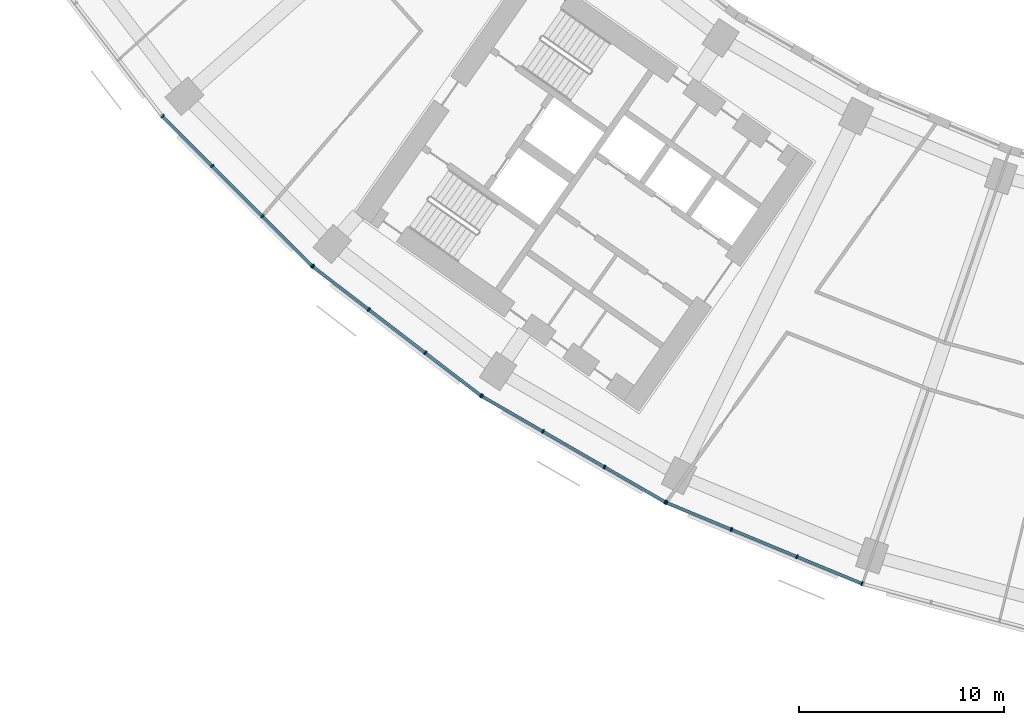
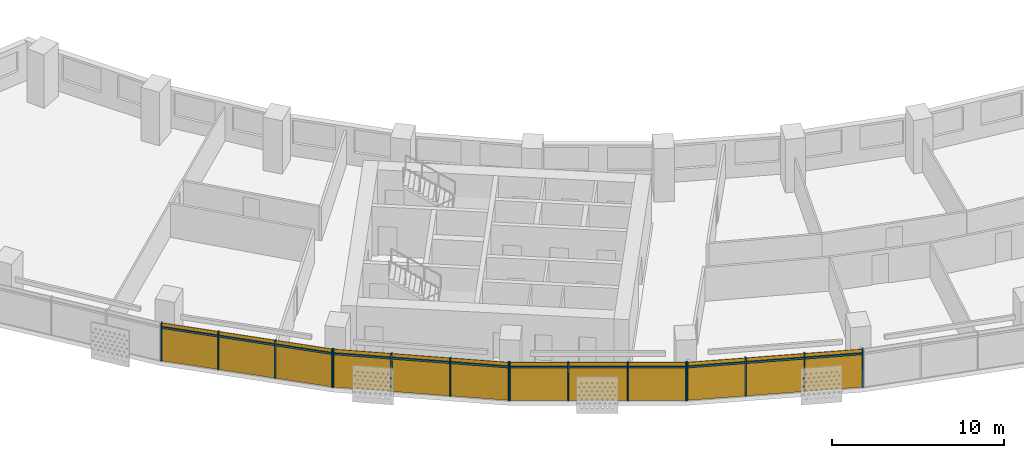
# One storey, part 17 of 29: 28 members, 4 curtain walls.
"""IFC4 building model written with IfcOpenShell, lengths in metres."""

from ifc_helpers import new_model, si_unit, direction, frame, origin, origin_2d, place, context, subcontext, project, spatial, rectangle, extrude, material, material_profile, profile_set, type_object, element, aggregate, save


model = new_model("IFC4")

# Units and contexts
model_context = context("Model", 3, precision=1e-05, world=origin(), true_north=direction((0.0, 1.0)))
body_context = subcontext(model_context, "Body", "Model", "MODEL_VIEW")
ifc_project = project(units=[si_unit("LENGTHUNIT", "METRE"), si_unit("AREAUNIT", "SQUARE_METRE"), si_unit("VOLUMEUNIT", "CUBIC_METRE"), si_unit("PLANEANGLEUNIT", "RADIAN"), si_unit("MASSUNIT", "GRAM", prefix="KILO")], contexts=[model_context])

# Member
ifc_material = material(Name="Aluminium 6063-T6 anodised", Category="aluminium")
ifc_material_profile_1 = material_profile(ifc_material, rectangle(XDim=0.199951171875, YDim=0.070068359375, at=origin_2d()))
ifc_profile_set_1 = profile_set([ifc_material_profile_1], Name="Aluminium 6063-T6 anodised")
member_type_1 = type_object("IfcMemberType", Name="Mullion 70 x 200 aluminium", PredefinedType="MULLION", material=ifc_profile_set_1)
site_placement = place(None, origin())
building_placement = place(site_placement, origin())
storey_placement = place(building_placement, frame((0.0, 0.0, 121.5)))
member_1_placement = place(storey_placement, frame((-59.525390625, -52.240234375, 0.0), z_axis=(0.0, 0.0, 1.0), x_axis=(0.707106781187, 0.707106781187, 0.0)))
member_1 = element("IfcMember", 1, at=member_1_placement, type_object=member_type_1, Name="e-cw1-L27-out03/M00", PredefinedType="MULLION", context=body_context, shape_type="SweptSolid", body=[
    extrude(rectangle(XDim=0.199951171875, YDim=0.070068359375, at=origin_2d()), origin(), (0.0, 0.0, 1.0), 2.699951171875),
])

member_2_placement = place(storey_placement, frame((-57.105224609375, -54.660400390625, 0.0), z_axis=(0.0, 0.0, 1.0), x_axis=(0.707106781187, 0.707106781187, 0.0)))
member_2 = element("IfcMember", 2, at=member_2_placement, type_object=member_type_1, Name="e-cw1-L27-out03/M01", PredefinedType="MULLION", context=body_context, shape_type="SweptSolid", body=[
    extrude(rectangle(XDim=0.199951171875, YDim=0.070068359375, at=origin_2d()), origin(), (0.0, 0.0, 1.0), 2.699951171875),
])

member_3_placement = place(storey_placement, frame((-54.660400390625, -57.105224609375, 0.0), z_axis=(0.0, 0.0, 1.0), x_axis=(0.707106781187, 0.707106781187, 0.0)))
member_3 = element("IfcMember", 3, at=member_3_placement, type_object=member_type_1, Name="e-cw1-L27-out03/M02", PredefinedType="MULLION", context=body_context, shape_type="SweptSolid", body=[
    extrude(rectangle(XDim=0.199951171875, YDim=0.070068359375, at=origin_2d()), origin(), (0.0, 0.0, 1.0), 2.699951171875),
])

member_4_placement = place(storey_placement, frame((-52.240234375, -59.525390625, 0.0), z_axis=(0.0, 0.0, 1.0), x_axis=(0.707106781187, 0.707106781187, 0.0)))
member_4 = element("IfcMember", 4, at=member_4_placement, type_object=member_type_1, Name="e-cw1-L27-out03/M03", PredefinedType="MULLION", context=body_context, shape_type="SweptSolid", body=[
    extrude(rectangle(XDim=0.199951171875, YDim=0.070068359375, at=origin_2d()), origin(), (0.0, 0.0, 1.0), 2.699951171875),
])

member_5_placement = place(storey_placement, frame((-52.197509765625, -59.56298828125, 0.0), z_axis=(0.0, 0.0, 1.0), x_axis=(0.608761429009, 0.793353340291, 0.0)))
member_5 = element("IfcMember", 5, at=member_5_placement, type_object=member_type_1, Name="e-cw1-L27-out04/M00", PredefinedType="MULLION", context=body_context, shape_type="SweptSolid", body=[
    extrude(rectangle(XDim=0.199951171875, YDim=0.070068359375, at=origin_2d()), origin(), (0.0, 0.0, 1.0), 2.699951171875),
])

member_6_placement = place(storey_placement, frame((-49.482177734375, -61.646484375, 0.0), z_axis=(0.0, 0.0, 1.0), x_axis=(0.608761429009, 0.793353340291, 0.0)))
member_6 = element("IfcMember", 6, at=member_6_placement, type_object=member_type_1, Name="e-cw1-L27-out04/M01", PredefinedType="MULLION", context=body_context, shape_type="SweptSolid", body=[
    extrude(rectangle(XDim=0.199951171875, YDim=0.070068359375, at=origin_2d()), origin(), (0.0, 0.0, 1.0), 2.699951171875),
])

member_7_placement = place(storey_placement, frame((-46.739013671875, -63.751220703125, 0.0), z_axis=(0.0, 0.0, 1.0), x_axis=(0.608761429009, 0.793353340291, 0.0)))
member_7 = element("IfcMember", 7, at=member_7_placement, type_object=member_type_1, Name="e-cw1-L27-out04/M02", PredefinedType="MULLION", context=body_context, shape_type="SweptSolid", body=[
    extrude(rectangle(XDim=0.199951171875, YDim=0.070068359375, at=origin_2d()), origin(), (0.0, 0.0, 1.0), 2.699951171875),
])

member_8_placement = place(storey_placement, frame((-44.023681640625, -65.8349609375, 0.0), z_axis=(0.0, 0.0, 1.0), x_axis=(0.608761429009, 0.793353340291, 0.0)))
member_8 = element("IfcMember", 8, at=member_8_placement, type_object=member_type_1, Name="e-cw1-L27-out04/M03", PredefinedType="MULLION", context=body_context, shape_type="SweptSolid", body=[
    extrude(rectangle(XDim=0.199951171875, YDim=0.070068359375, at=origin_2d()), origin(), (0.0, 0.0, 1.0), 2.699951171875),
])

member_9_placement = place(storey_placement, frame((-43.976318359375, -65.866455078125, 0.0), z_axis=(0.0, 0.0, 1.0), x_axis=(0.5, 0.866025403784, 0.0)))
member_9 = element("IfcMember", 9, at=member_9_placement, type_object=member_type_1, Name="e-cw1-L27-out05/M00", PredefinedType="MULLION", context=body_context, shape_type="SweptSolid", body=[
    extrude(rectangle(XDim=0.199951171875, YDim=0.070068359375, at=origin_2d()), origin(), (0.0, 0.0, 1.0), 2.699951171875),
])

member_10_placement = place(storey_placement, frame((-41.01220703125, -67.577880859375, 0.0), z_axis=(0.0, 0.0, 1.0), x_axis=(0.5, 0.866025403784, 0.0)))
member_10 = element("IfcMember", 10, at=member_10_placement, type_object=member_type_1, Name="e-cw1-L27-out05/M01", PredefinedType="MULLION", context=body_context, shape_type="SweptSolid", body=[
    extrude(rectangle(XDim=0.199951171875, YDim=0.070068359375, at=origin_2d()), origin(), (0.0, 0.0, 1.0), 2.699951171875),
])

member_11_placement = place(storey_placement, frame((-38.017822265625, -69.306640625, 0.0), z_axis=(0.0, 0.0, 1.0), x_axis=(0.5, 0.866025403784, 0.0)))
member_11 = element("IfcMember", 11, at=member_11_placement, type_object=member_type_1, Name="e-cw1-L27-out05/M02", PredefinedType="MULLION", context=body_context, shape_type="SweptSolid", body=[
    extrude(rectangle(XDim=0.199951171875, YDim=0.070068359375, at=origin_2d()), origin(), (0.0, 0.0, 1.0), 2.699951171875),
])

member_12_placement = place(storey_placement, frame((-35.0537109375, -71.017822265625, 0.0), z_axis=(0.0, 0.0, 1.0), x_axis=(0.5, 0.866025403784, 0.0)))
member_12 = element("IfcMember", 12, at=member_12_placement, type_object=member_type_1, Name="e-cw1-L27-out05/M03", PredefinedType="MULLION", context=body_context, shape_type="SweptSolid", body=[
    extrude(rectangle(XDim=0.199951171875, YDim=0.070068359375, at=origin_2d()), origin(), (0.0, 0.0, 1.0), 2.699951171875),
])

member_13_placement = place(storey_placement, frame((-35.0029296875, -71.04296875, 0.0), z_axis=(0.0, 0.0, 1.0), x_axis=(0.382683432365, 0.923879532511, 0.0)))
member_13 = element("IfcMember", 13, at=member_13_placement, type_object=member_type_1, Name="e-cw1-L27-out06/M00", PredefinedType="MULLION", context=body_context, shape_type="SweptSolid", body=[
    extrude(rectangle(XDim=0.199951171875, YDim=0.070068359375, at=origin_2d()), origin(), (0.0, 0.0, 1.0), 2.699951171875),
])

member_14_placement = place(storey_placement, frame((-31.8408203125, -72.352783203125, 0.0), z_axis=(0.0, 0.0, 1.0), x_axis=(0.382683432365, 0.923879532511, 0.0)))
member_14 = element("IfcMember", 14, at=member_14_placement, type_object=member_type_1, Name="e-cw1-L27-out06/M01", PredefinedType="MULLION", context=body_context, shape_type="SweptSolid", body=[
    extrude(rectangle(XDim=0.199951171875, YDim=0.070068359375, at=origin_2d()), origin(), (0.0, 0.0, 1.0), 2.699951171875),
])

member_15_placement = place(storey_placement, frame((-28.646240234375, -73.676025390625, 0.0), z_axis=(0.0, 0.0, 1.0), x_axis=(0.382683432365, 0.923879532511, 0.0)))
member_15 = element("IfcMember", 15, at=member_15_placement, type_object=member_type_1, Name="e-cw1-L27-out06/M02", PredefinedType="MULLION", context=body_context, shape_type="SweptSolid", body=[
    extrude(rectangle(XDim=0.199951171875, YDim=0.070068359375, at=origin_2d()), origin(), (0.0, 0.0, 1.0), 2.699951171875),
])

member_16_placement = place(storey_placement, frame((-25.484130859375, -74.98583984375, 0.0), z_axis=(0.0, 0.0, 1.0), x_axis=(0.382683432365, 0.923879532511, 0.0)))
member_16 = element("IfcMember", 16, at=member_16_placement, type_object=member_type_1, Name="e-cw1-L27-out06/M03", PredefinedType="MULLION", context=body_context, shape_type="SweptSolid", body=[
    extrude(rectangle(XDim=0.199951171875, YDim=0.070068359375, at=origin_2d()), origin(), (0.0, 0.0, 1.0), 2.699951171875),
])

ifc_material_profile_2 = material_profile(ifc_material, rectangle(XDim=0.139892578125, YDim=0.1201171875, at=origin_2d()))
ifc_profile_set_2 = profile_set([ifc_material_profile_2], Name="Aluminium 6063-T6 anodised")
member_type_2 = type_object("IfcMemberType", Name="Transom 120 x 140 aluminium", PredefinedType="USERDEFINED", material=ifc_profile_set_2)
member_17_placement = place(storey_placement, frame((-59.500732421875, -52.264892578125, 2.39990234375), z_axis=(0.707106781187, -0.707106781187, 0.0), x_axis=(0.707106781187, 0.707106781187, 0.0)))
member_17 = element("IfcMember", 17, at=member_17_placement, type_object=member_type_2, Name="e-cw1-L27-out03/T00", ObjectType="TRANSOM", PredefinedType="USERDEFINED", context=body_context, shape_type="SweptSolid", body=[
    extrude(rectangle(XDim=0.139892578125, YDim=0.1201171875, at=origin_2d()), origin(), (0.0, 0.0, 1.0), 3.3525390625),
])

member_18_placement = place(storey_placement, frame((-57.08056640625, -54.68505859375, 2.39990234375), z_axis=(0.707106781187, -0.707106781187, 0.0), x_axis=(0.707106781187, 0.707106781187, 0.0)))
member_18 = element("IfcMember", 18, at=member_18_placement, type_object=member_type_2, Name="e-cw1-L27-out03/T01", ObjectType="TRANSOM", PredefinedType="USERDEFINED", context=body_context, shape_type="SweptSolid", body=[
    extrude(rectangle(XDim=0.139892578125, YDim=0.1201171875, at=origin_2d()), origin(), (0.0, 0.0, 1.0), 3.3876953125),
])

member_19_placement = place(storey_placement, frame((-54.635498046875, -57.130126953125, 2.39990234375), z_axis=(0.707106781187, -0.707106781187, 0.0), x_axis=(0.707106781187, 0.707106781187, 0.0)))
member_19 = element("IfcMember", 19, at=member_19_placement, type_object=member_type_2, Name="e-cw1-L27-out03/T02", ObjectType="TRANSOM", PredefinedType="USERDEFINED", context=body_context, shape_type="SweptSolid", body=[
    extrude(rectangle(XDim=0.139892578125, YDim=0.1201171875, at=origin_2d()), origin(), (0.0, 0.0, 1.0), 3.3525390625),
])

member_20_placement = place(storey_placement, frame((-52.169677734375, -59.584228515625, 2.39990234375), z_axis=(0.793354308621, -0.608760167055, 0.0), x_axis=(0.608760167055, 0.793354308621, 0.0)))
member_20 = element("IfcMember", 20, at=member_20_placement, type_object=member_type_2, Name="e-cw1-L27-out04/T00", ObjectType="TRANSOM", PredefinedType="USERDEFINED", context=body_context, shape_type="SweptSolid", body=[
    extrude(rectangle(XDim=0.139892578125, YDim=0.1201171875, at=origin_2d()), origin(), (0.0, 0.0, 1.0), 3.352783203125),
])

member_21_placement = place(storey_placement, frame((-49.454345703125, -61.667724609375, 2.39990234375), z_axis=(0.793344133173, -0.608773427772, 0.0), x_axis=(0.608773427772, 0.793344133173, 0.0)))
member_21 = element("IfcMember", 21, at=member_21_placement, type_object=member_type_2, Name="e-cw1-L27-out04/T01", ObjectType="TRANSOM", PredefinedType="USERDEFINED", context=body_context, shape_type="SweptSolid", body=[
    extrude(rectangle(XDim=0.139892578125, YDim=0.1201171875, at=origin_2d()), origin(), (0.0, 0.0, 1.0), 3.387451171875),
])

member_22_placement = place(storey_placement, frame((-46.711181640625, -63.772705078125, 2.39990234375), z_axis=(0.793389477316, -0.608714331426, 0.0), x_axis=(0.608714331426, 0.793389477316, 0.0)))
member_22 = element("IfcMember", 22, at=member_22_placement, type_object=member_type_2, Name="e-cw1-L27-out04/T02", ObjectType="TRANSOM", PredefinedType="USERDEFINED", context=body_context, shape_type="SweptSolid", body=[
    extrude(rectangle(XDim=0.139892578125, YDim=0.1201171875, at=origin_2d()), origin(), (0.0, 0.0, 1.0), 3.3525390625),
])

member_23_placement = place(storey_placement, frame((-43.946044921875, -65.884033203125, 2.39990234375), z_axis=(0.866020654818, -0.50000822536, 0.0), x_axis=(0.50000822536, 0.866020654818, 0.0)))
member_23 = element("IfcMember", 23, at=member_23_placement, type_object=member_type_2, Name="e-cw1-L27-out05/T00", ObjectType="TRANSOM", PredefinedType="USERDEFINED", context=body_context, shape_type="SweptSolid", body=[
    extrude(rectangle(XDim=0.139892578125, YDim=0.1201171875, at=origin_2d()), origin(), (0.0, 0.0, 1.0), 3.3525390625),
])

member_24_placement = place(storey_placement, frame((-40.98193359375, -67.59521484375, 2.39990234375), z_axis=(0.866025971257, -0.499999017107, 0.0), x_axis=(0.499999017107, 0.866025971257, 0.0)))
member_24 = element("IfcMember", 24, at=member_24_placement, type_object=member_type_2, Name="e-cw1-L27-out05/T01", ObjectType="TRANSOM", PredefinedType="USERDEFINED", context=body_context, shape_type="SweptSolid", body=[
    extrude(rectangle(XDim=0.139892578125, YDim=0.1201171875, at=origin_2d()), origin(), (0.0, 0.0, 1.0), 3.3876953125),
])

member_25_placement = place(storey_placement, frame((-37.987548828125, -69.323974609375, 2.39990234375), z_axis=(0.865989120267, -0.50006283963, 0.0), x_axis=(0.50006283963, 0.865989120267, 0.0)))
member_25 = element("IfcMember", 25, at=member_25_placement, type_object=member_type_2, Name="e-cw1-L27-out05/T02", ObjectType="TRANSOM", PredefinedType="USERDEFINED", context=body_context, shape_type="SweptSolid", body=[
    extrude(rectangle(XDim=0.139892578125, YDim=0.1201171875, at=origin_2d()), origin(), (0.0, 0.0, 1.0), 3.3525390625),
])

member_26_placement = place(storey_placement, frame((-34.970458984375, -71.056396484375, 2.39990234375), z_axis=(0.923882814237, -0.382675509483, 0.0), x_axis=(0.382675509483, 0.923882814237, 0.0)))
member_26 = element("IfcMember", 26, at=member_26_placement, type_object=member_type_2, Name="e-cw1-L27-out06/T00", ObjectType="TRANSOM", PredefinedType="USERDEFINED", context=body_context, shape_type="SweptSolid", body=[
    extrude(rectangle(XDim=0.139892578125, YDim=0.1201171875, at=origin_2d()), origin(), (0.0, 0.0, 1.0), 3.3525390625),
])

member_27_placement = place(storey_placement, frame((-31.808349609375, -72.3662109375, 2.39990234375), z_axis=(0.923874529423, -0.382695510666, 0.0), x_axis=(0.382695510666, 0.923874529423, 0.0)))
member_27 = element("IfcMember", 27, at=member_27_placement, type_object=member_type_2, Name="e-cw1-L27-out06/T01", ObjectType="TRANSOM", PredefinedType="USERDEFINED", context=body_context, shape_type="SweptSolid", body=[
    extrude(rectangle(XDim=0.139892578125, YDim=0.1201171875, at=origin_2d()), origin(), (0.0, 0.0, 1.0), 3.387451171875),
])

member_28_placement = place(storey_placement, frame((-28.614013671875, -73.689453125, 2.39990234375), z_axis=(0.923882814237, -0.382675509483, 0.0), x_axis=(0.382675509483, 0.923882814237, 0.0)))
member_28 = element("IfcMember", 28, at=member_28_placement, type_object=member_type_2, Name="e-cw1-L27-out06/T02", ObjectType="TRANSOM", PredefinedType="USERDEFINED", context=body_context, shape_type="SweptSolid", body=[
    extrude(rectangle(XDim=0.139892578125, YDim=0.1201171875, at=origin_2d()), origin(), (0.0, 0.0, 1.0), 3.3525390625),
])

# Site, building, storey
site = spatial("IfcSite", under=ifc_project, at=site_placement, CompositionType="ELEMENT")
building = spatial("IfcBuilding", under=site, at=building_placement, Name="Qamariyya Broadcast Tower", CompositionType="ELEMENT")
storey = spatial("IfcBuildingStorey", under=building, at=storey_placement, Name="L27", CompositionType="ELEMENT", Elevation=121.5)

# Curtain wall
curtain_wall_type = type_object("IfcCurtainWallType", Name="Unitised curtain wall, anodised aluminium", PredefinedType="NOTDEFINED", material=ifc_material)
curtain_wall_1_placement = place(storey_placement, origin())
curtain_wall_1 = element("IfcCurtainWall", 29, at=curtain_wall_1_placement, inside=storey, type_object=curtain_wall_type, Name="e-cw1-L27-out03", PredefinedType="NOTDEFINED", context=body_context, shape_type="SweptSolid", body=[
    extrude(rectangle(XDim=3.352783203125, YDim=0.031982421875, at=origin_2d()), frame((-58.3154296875, -53.4501953125, 0.0), x_axis=(0.707106781187, -0.707106781187, 0.0)), (0.0, 0.0, 1.0), 2.340087890625),
    extrude(rectangle(XDim=3.352783203125, YDim=0.031982421875, at=origin_2d()), frame((-58.3154296875, -53.4501953125, 2.4599609375), x_axis=(0.707106781187, -0.707106781187, 0.0)), (0.0, 0.0, 1.0), 0.239990234375),
    extrude(rectangle(XDim=3.3876953125, YDim=0.031982421875, at=origin_2d()), frame((-55.8828125, -55.8828125, 0.0), x_axis=(0.707106781187, -0.707106781187, 0.0)), (0.0, 0.0, 1.0), 2.340087890625),
    extrude(rectangle(XDim=3.3876953125, YDim=0.031982421875, at=origin_2d()), frame((-55.8828125, -55.8828125, 2.4599609375), x_axis=(0.707106781187, -0.707106781187, 0.0)), (0.0, 0.0, 1.0), 0.239990234375),
    extrude(rectangle(XDim=3.352783203125, YDim=0.031982421875, at=origin_2d()), frame((-53.4501953125, -58.3154296875, 0.0), x_axis=(0.707106781187, -0.707106781187, 0.0)), (0.0, 0.0, 1.0), 2.340087890625),
    extrude(rectangle(XDim=3.352783203125, YDim=0.031982421875, at=origin_2d()), frame((-53.4501953125, -58.3154296875, 2.4599609375), x_axis=(0.707106781187, -0.707106781187, 0.0)), (0.0, 0.0, 1.0), 0.239990234375),
])

aggregate(curtain_wall_1, [member_1, member_2, member_3, member_4, member_17, member_18, member_19])

curtain_wall_2_placement = place(storey_placement, origin())
curtain_wall_2 = element("IfcCurtainWall", 30, at=curtain_wall_2_placement, inside=storey, type_object=curtain_wall_type, Name="e-cw1-L27-out04", PredefinedType="NOTDEFINED", context=body_context, shape_type="SweptSolid", body=[
    extrude(rectangle(XDim=3.352783203125, YDim=0.031982421875, at=origin_2d()), frame((-50.83984375, -60.6044921875, 0.0), x_axis=(0.793354000839, -0.608760568165, 0.0)), (0.0, 0.0, 1.0), 2.340087890625),
    extrude(rectangle(XDim=3.352783203125, YDim=0.031982421875, at=origin_2d()), frame((-50.83984375, -60.6044921875, 2.4599609375), x_axis=(0.793354000839, -0.608760568165, 0.0)), (0.0, 0.0, 1.0), 0.239990234375),
    extrude(rectangle(XDim=3.3876953125, YDim=0.031982421875, at=origin_2d()), frame((-48.110595703125, -62.69873046875, 0.0), x_axis=(0.793354000839, -0.608760568165, 0.0)), (0.0, 0.0, 1.0), 2.340087890625),
    extrude(rectangle(XDim=3.3876953125, YDim=0.031982421875, at=origin_2d()), frame((-48.110595703125, -62.69873046875, 2.4599609375), x_axis=(0.793354000839, -0.608760568165, 0.0)), (0.0, 0.0, 1.0), 0.239990234375),
    extrude(rectangle(XDim=3.352783203125, YDim=0.031982421875, at=origin_2d()), frame((-45.38134765625, -64.793212890625, 0.0), x_axis=(0.793354000839, -0.608760568165, 0.0)), (0.0, 0.0, 1.0), 2.340087890625),
    extrude(rectangle(XDim=3.352783203125, YDim=0.031982421875, at=origin_2d()), frame((-45.38134765625, -64.793212890625, 2.4599609375), x_axis=(0.793354000839, -0.608760568165, 0.0)), (0.0, 0.0, 1.0), 0.239990234375),
])

aggregate(curtain_wall_2, [member_5, member_6, member_7, member_8, member_20, member_21, member_22])

curtain_wall_3_placement = place(storey_placement, origin())
curtain_wall_3 = element("IfcCurtainWall", 31, at=curtain_wall_3_placement, inside=storey, type_object=curtain_wall_type, Name="e-cw1-L27-out05", PredefinedType="NOTDEFINED", context=body_context, shape_type="SweptSolid", body=[
    extrude(rectangle(XDim=3.352783203125, YDim=0.031982421875, at=origin_2d()), frame((-42.494384765625, -66.72216796875, 0.0), x_axis=(0.866027243369, -0.499996813733, 0.0)), (0.0, 0.0, 1.0), 2.340087890625),
    extrude(rectangle(XDim=3.352783203125, YDim=0.031982421875, at=origin_2d()), frame((-42.494384765625, -66.72216796875, 2.4599609375), x_axis=(0.866027243369, -0.499996813733, 0.0)), (0.0, 0.0, 1.0), 0.239990234375),
    extrude(rectangle(XDim=3.3876953125, YDim=0.031982421875, at=origin_2d()), frame((-39.51513671875, -68.442138671875, 0.0), x_axis=(0.866027243369, -0.499996813733, 0.0)), (0.0, 0.0, 1.0), 2.340087890625),
    extrude(rectangle(XDim=3.3876953125, YDim=0.031982421875, at=origin_2d()), frame((-39.51513671875, -68.442138671875, 2.4599609375), x_axis=(0.866027243369, -0.499996813733, 0.0)), (0.0, 0.0, 1.0), 0.239990234375),
    extrude(rectangle(XDim=3.352783203125, YDim=0.031982421875, at=origin_2d()), frame((-36.535888671875, -70.162109375, 0.0), x_axis=(0.866027243369, -0.499996813733, 0.0)), (0.0, 0.0, 1.0), 2.340087890625),
    extrude(rectangle(XDim=3.352783203125, YDim=0.031982421875, at=origin_2d()), frame((-36.535888671875, -70.162109375, 2.4599609375), x_axis=(0.866027243369, -0.499996813733, 0.0)), (0.0, 0.0, 1.0), 0.239990234375),
])

aggregate(curtain_wall_3, [member_9, member_10, member_11, member_12, member_23, member_24, member_25])

curtain_wall_4_placement = place(storey_placement, origin())
curtain_wall_4 = element("IfcCurtainWall", 32, at=curtain_wall_4_placement, inside=storey, type_object=curtain_wall_type, Name="e-cw1-L27-out06", PredefinedType="NOTDEFINED", context=body_context, shape_type="SweptSolid", body=[
    extrude(rectangle(XDim=3.3525390625, YDim=0.031982421875, at=origin_2d()), frame((-33.421875, -71.69775390625, 0.0), x_axis=(0.923872250857, -0.382701011361, 0.0)), (0.0, 0.0, 1.0), 2.340087890625),
    extrude(rectangle(XDim=3.3525390625, YDim=0.031982421875, at=origin_2d()), frame((-33.421875, -71.69775390625, 2.4599609375), x_axis=(0.923872250857, -0.382701011361, 0.0)), (0.0, 0.0, 1.0), 0.239990234375),
    extrude(rectangle(XDim=3.3876953125, YDim=0.031982421875, at=origin_2d()), frame((-30.24365234375, -73.014404296875, 0.0), x_axis=(0.923872250857, -0.382701011361, 0.0)), (0.0, 0.0, 1.0), 2.340087890625),
    extrude(rectangle(XDim=3.3876953125, YDim=0.031982421875, at=origin_2d()), frame((-30.24365234375, -73.014404296875, 2.4599609375), x_axis=(0.923872250857, -0.382701011361, 0.0)), (0.0, 0.0, 1.0), 0.239990234375),
    extrude(rectangle(XDim=3.3525390625, YDim=0.031982421875, at=origin_2d()), frame((-27.065185546875, -74.3310546875, 0.0), x_axis=(0.923872250857, -0.382701011361, 0.0)), (0.0, 0.0, 1.0), 2.340087890625),
    extrude(rectangle(XDim=3.3525390625, YDim=0.031982421875, at=origin_2d()), frame((-27.065185546875, -74.3310546875, 2.4599609375), x_axis=(0.923872250857, -0.382701011361, 0.0)), (0.0, 0.0, 1.0), 0.239990234375),
])

aggregate(curtain_wall_4, [member_13, member_14, member_15, member_16, member_26, member_27, member_28])

save(model, "model.ifc")
